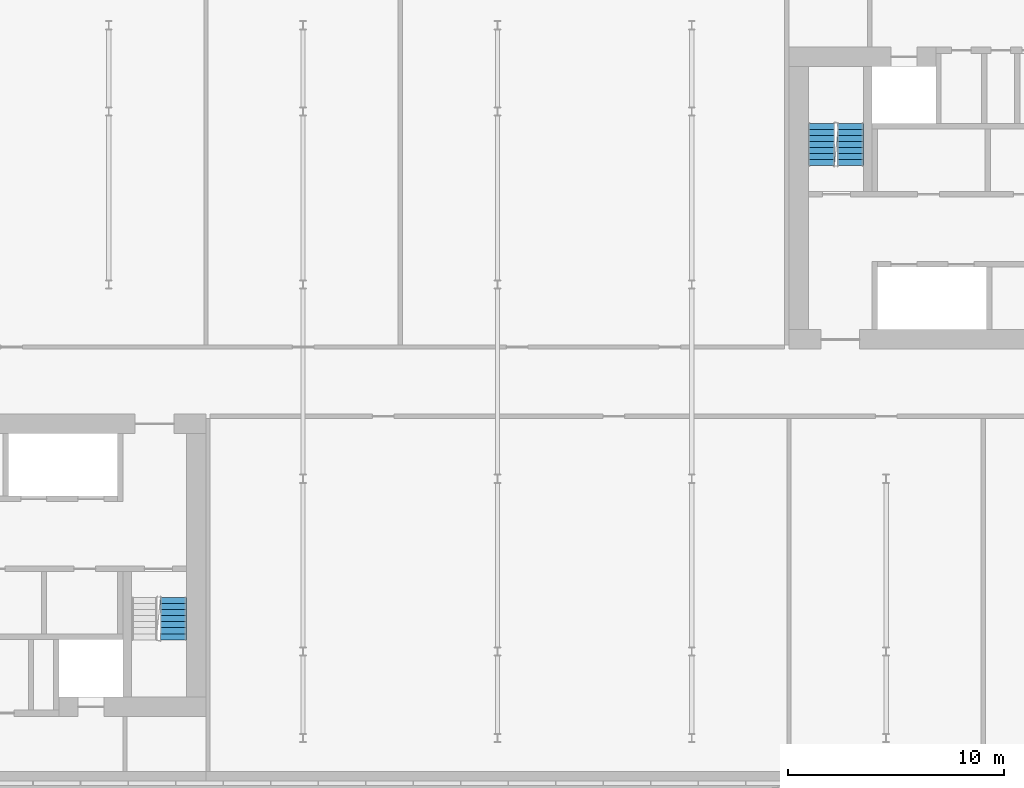
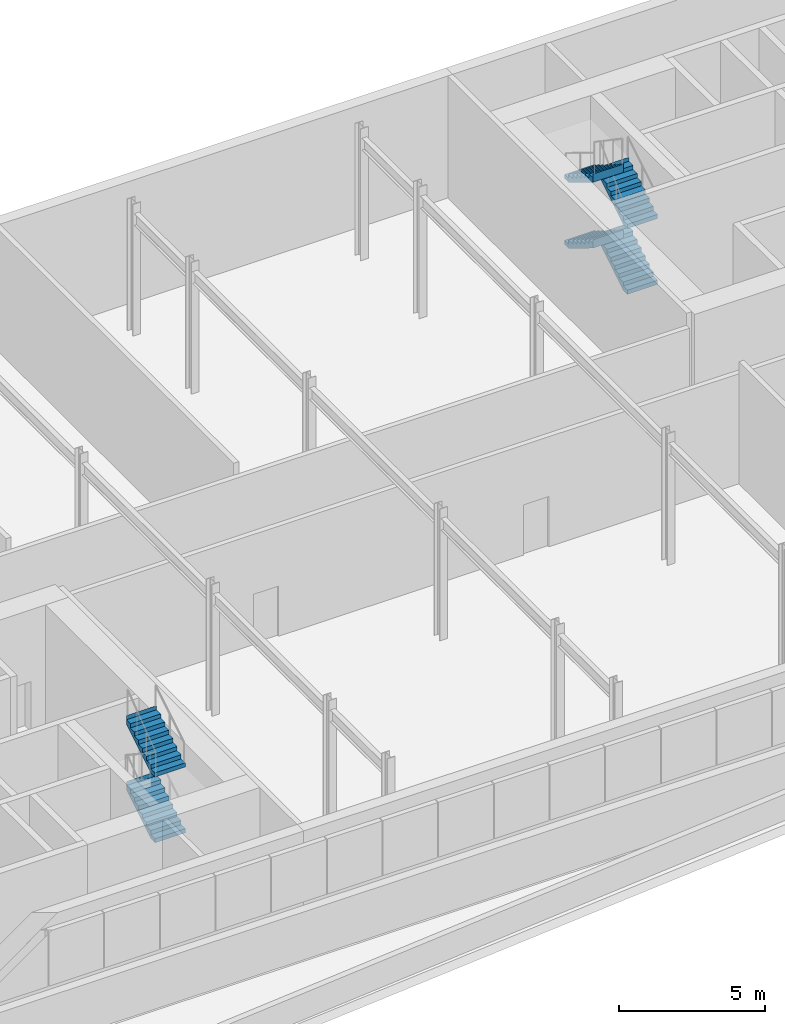
# One storey, part 12 of 16: 6 stair flights, 2 elements without a shape of their own.
"""IFC4 building model written with IfcOpenShell, lengths in metres."""

from ifc_helpers import new_model, si_unit, direction, frame, origin, place, context, subcontext, project, spatial, faceted_brep, material, type_object, element, aggregate, save


model = new_model("IFC4")

# Units and contexts
model_context = context("Model", 3, precision=1e-05, world=origin(), true_north=direction((0.0, 1.0)))
body_context = subcontext(model_context, "Body", "Model", "MODEL_VIEW")
ifc_project = project(units=[si_unit("LENGTHUNIT", "METRE"), si_unit("AREAUNIT", "SQUARE_METRE"), si_unit("VOLUMEUNIT", "CUBIC_METRE"), si_unit("PLANEANGLEUNIT", "RADIAN"), si_unit("MASSUNIT", "GRAM", prefix="KILO")], contexts=[model_context])

# Site, building, storey
site_placement = place(None, origin())
site = spatial("IfcSite", under=ifc_project, at=site_placement, CompositionType="ELEMENT")
building_placement = place(site_placement, origin())
building = spatial("IfcBuilding", under=site, at=building_placement, Name="Kajstack Hotel Tower", CompositionType="ELEMENT")
storey_placement = place(building_placement, frame((0.0, 0.0, 308.10009765625)))
storey = spatial("IfcBuildingStorey", under=building, at=storey_placement, Name="L78", CompositionType="ELEMENT", Elevation=308.10009765625)

# Stair, stair flights
ifc_material = material(Name="Concrete C40/50", Category="concrete")
stair_type = type_object("IfcStairType", Name="Exit stair 1200", PredefinedType="HALF_TURN_STAIR", material=ifc_material)
stair_1_placement = place(storey_placement, origin())
stair_1 = element("IfcStair", 1, at=stair_1_placement, inside=storey, type_object=stair_type, Name="L78 stair W2", PredefinedType="HALF_TURN_STAIR")
stair_flight_type = type_object("IfcStairFlightType", Name="Exit stair flight 1200", PredefinedType="STRAIGHT", material=ifc_material)
stair_flight_1_placement = place(storey_placement, frame((-15.0, -11.9599609375, 1.375), z_axis=(0.0, 0.0, 1.0), x_axis=(0.0, 1.0, 0.0)))
stair_flight_1 = element("IfcStairFlight", 2, at=stair_flight_1_placement, type_object=stair_flight_type, Name="W2 flight 2", NumberOfRisers=8, NumberOfTreads=7, PredefinedType="STRAIGHT", RiserHeight=0.171875, TreadLength=0.28, context=body_context, shape_type="Brep", body=[
    faceted_brep([(0.287109375, -0.60009765625, 0.0), (1.96044921875, -0.60009765625, 1.02734375), (1.96044921875, -0.60009765625, 1.375), (1.9599609375, -0.60009765625, 1.375), (1.9599609375, -0.60009765625, 1.203125), (1.679931640625, -0.60009765625, 1.203125), (1.679931640625, -0.60009765625, 1.03125), (1.39990234375, -0.60009765625, 1.03125), (1.39990234375, -0.60009765625, 0.859375), (1.1201171875, -0.60009765625, 0.859375), (1.1201171875, -0.60009765625, 0.6875), (0.840087890625, -0.60009765625, 0.6875), (0.840087890625, -0.60009765625, 0.515625), (0.56005859375, -0.60009765625, 0.515625), (0.56005859375, -0.60009765625, 0.34375), (0.280029296875, -0.60009765625, 0.34375), (0.280029296875, -0.60009765625, 0.171875), (-0.00048828125, -0.60009765625, 0.171875), (-0.00048828125, -0.60009765625, 0.0), (-0.00048828125, 0.60009765625, 0.0), (-0.00048828125, 0.60009765625, 0.171875), (0.280029296875, 0.60009765625, 0.171875), (0.280029296875, 0.60009765625, 0.34375), (0.56005859375, 0.60009765625, 0.34375), (0.56005859375, 0.60009765625, 0.515625), (0.840087890625, 0.60009765625, 0.515625), (0.840087890625, 0.60009765625, 0.6875), (1.1201171875, 0.60009765625, 0.6875), (1.1201171875, 0.60009765625, 0.859375), (1.39990234375, 0.60009765625, 0.859375), (1.39990234375, 0.60009765625, 1.03125), (1.679931640625, 0.60009765625, 1.03125), (1.679931640625, 0.60009765625, 1.203125), (1.9599609375, 0.60009765625, 1.203125), (1.9599609375, 0.60009765625, 1.375), (1.96044921875, 0.60009765625, 1.375), (1.96044921875, 0.60009765625, 1.02734375), (0.287109375, 0.60009765625, 0.0), (-0.00048828125, -0.300048828125, 0.171875), (-0.00048828125, 0.0, 0.171875), (-0.00048828125, 0.300048828125, 0.171875), (-0.00048828125, 0.300048828125, 0.0), (-0.00048828125, 0.0, 0.0), (-0.00048828125, -0.300048828125, 0.0), (0.280029296875, -0.300048828125, 0.171875), (0.280029296875, 0.0, 0.171875), (0.280029296875, 0.300048828125, 0.171875), (0.280029296875, -0.300048828125, 0.34375), (0.280029296875, 0.0, 0.34375), (0.280029296875, 0.300048828125, 0.34375), (0.56005859375, -0.300048828125, 0.34375), (0.56005859375, 0.0, 0.34375), (0.56005859375, 0.300048828125, 0.34375), (0.56005859375, -0.300048828125, 0.515625), (0.56005859375, 0.0, 0.515625), (0.56005859375, 0.300048828125, 0.515625), (0.840087890625, -0.300048828125, 0.515625), (0.840087890625, 0.0, 0.515625), (0.840087890625, 0.300048828125, 0.515625), (0.840087890625, -0.300048828125, 0.6875), (0.840087890625, 0.0, 0.6875), (0.840087890625, 0.300048828125, 0.6875), (1.1201171875, -0.300048828125, 0.6875), (1.1201171875, 0.0, 0.6875), (1.1201171875, 0.300048828125, 0.6875), (1.1201171875, -0.300048828125, 0.859375), (1.1201171875, 0.0, 0.859375), (1.1201171875, 0.300048828125, 0.859375), (1.39990234375, -0.300048828125, 0.859375), (1.39990234375, 0.0, 0.859375), (1.39990234375, 0.300048828125, 0.859375), (1.39990234375, -0.300048828125, 1.03125), (1.39990234375, 0.0, 1.03125), (1.39990234375, 0.300048828125, 1.03125), (1.679931640625, -0.300048828125, 1.03125), (1.679931640625, 0.0, 1.03125), (1.679931640625, 0.300048828125, 1.03125), (1.679931640625, -0.300048828125, 1.203125), (1.679931640625, 0.0, 1.203125), (1.679931640625, 0.300048828125, 1.203125), (1.9599609375, -0.300048828125, 1.203125), (1.9599609375, 0.0, 1.203125), (1.9599609375, 0.300048828125, 1.203125), (1.9599609375, -0.300048828125, 1.375), (1.9599609375, 0.0, 1.375), (1.9599609375, 0.300048828125, 1.375), (1.96044921875, -0.300048828125, 1.375), (1.96044921875, 0.0, 1.375), (1.96044921875, 0.300048828125, 1.375), (1.96044921875, -0.300048828125, 1.02734375), (1.96044921875, 0.0, 1.02734375), (1.96044921875, 0.300048828125, 1.02734375), (0.287109375, -0.300048828125, 0.0), (0.287109375, 0.0, 0.0), (0.287109375, 0.300048828125, 0.0)], [[[0, 1, 2, 3, 4, 5, 6, 7, 8, 9, 10, 11, 12, 13, 14, 15, 16, 17, 18]], [[19, 20, 21, 22, 23, 24, 25, 26, 27, 28, 29, 30, 31, 32, 33, 34, 35, 36, 37]], [[17, 38, 39, 40, 20, 19, 41, 42, 43, 18]], [[16, 44, 45, 46, 21, 20, 40, 39, 38, 17]], [[15, 47, 48, 49, 22, 21, 46, 45, 44, 16]], [[14, 50, 51, 52, 23, 22, 49, 48, 47, 15]], [[13, 53, 54, 55, 24, 23, 52, 51, 50, 14]], [[12, 56, 57, 58, 25, 24, 55, 54, 53, 13]], [[11, 59, 60, 61, 26, 25, 58, 57, 56, 12]], [[10, 62, 63, 64, 27, 26, 61, 60, 59, 11]], [[9, 65, 66, 67, 28, 27, 64, 63, 62, 10]], [[8, 68, 69, 70, 29, 28, 67, 66, 65, 9]], [[7, 71, 72, 73, 30, 29, 70, 69, 68, 8]], [[6, 74, 75, 76, 31, 30, 73, 72, 71, 7]], [[5, 77, 78, 79, 32, 31, 76, 75, 74, 6]], [[4, 80, 81, 82, 33, 32, 79, 78, 77, 5]], [[3, 83, 84, 85, 34, 33, 82, 81, 80, 4]], [[2, 86, 87, 88, 35, 34, 85, 84, 83, 3]], [[1, 89, 90, 91, 36, 35, 88, 87, 86, 2]], [[0, 92, 93, 94, 37, 36, 91, 90, 89, 1]], [[18, 43, 42, 41, 19, 37, 94, 93, 92, 0]]]),
])
stair_flight_2_placement = place(storey_placement, frame((-15.0, -11.9599609375, 4.125), z_axis=(0.0, 0.0, 1.0), x_axis=(0.0, 1.0, 0.0)))
stair_flight_2 = element("IfcStairFlight", 3, at=stair_flight_2_placement, type_object=stair_flight_type, Name="W2 flight 4", NumberOfRisers=8, NumberOfTreads=7, PredefinedType="STRAIGHT", RiserHeight=0.171875, TreadLength=0.28, context=body_context, shape_type="Brep", body=[
    faceted_brep([(0.287109375, -0.60009765625, 0.0), (1.96044921875, -0.60009765625, 1.02734375), (1.96044921875, -0.60009765625, 1.375), (1.9599609375, -0.60009765625, 1.375), (1.9599609375, -0.60009765625, 1.203125), (1.679931640625, -0.60009765625, 1.203125), (1.679931640625, -0.60009765625, 1.03125), (1.39990234375, -0.60009765625, 1.03125), (1.39990234375, -0.60009765625, 0.859375), (1.1201171875, -0.60009765625, 0.859375), (1.1201171875, -0.60009765625, 0.6875), (0.840087890625, -0.60009765625, 0.6875), (0.840087890625, -0.60009765625, 0.515625), (0.56005859375, -0.60009765625, 0.515625), (0.56005859375, -0.60009765625, 0.34375), (0.280029296875, -0.60009765625, 0.34375), (0.280029296875, -0.60009765625, 0.171875), (-0.00048828125, -0.60009765625, 0.171875), (-0.00048828125, -0.60009765625, 0.0), (-0.00048828125, 0.60009765625, 0.0), (-0.00048828125, 0.60009765625, 0.171875), (0.280029296875, 0.60009765625, 0.171875), (0.280029296875, 0.60009765625, 0.34375), (0.56005859375, 0.60009765625, 0.34375), (0.56005859375, 0.60009765625, 0.515625), (0.840087890625, 0.60009765625, 0.515625), (0.840087890625, 0.60009765625, 0.6875), (1.1201171875, 0.60009765625, 0.6875), (1.1201171875, 0.60009765625, 0.859375), (1.39990234375, 0.60009765625, 0.859375), (1.39990234375, 0.60009765625, 1.03125), (1.679931640625, 0.60009765625, 1.03125), (1.679931640625, 0.60009765625, 1.203125), (1.9599609375, 0.60009765625, 1.203125), (1.9599609375, 0.60009765625, 1.375), (1.96044921875, 0.60009765625, 1.375), (1.96044921875, 0.60009765625, 1.02734375), (0.287109375, 0.60009765625, 0.0), (-0.00048828125, -0.300048828125, 0.171875), (-0.00048828125, 0.0, 0.171875), (-0.00048828125, 0.300048828125, 0.171875), (-0.00048828125, 0.300048828125, 0.0), (-0.00048828125, 0.0, 0.0), (-0.00048828125, -0.300048828125, 0.0), (0.280029296875, -0.300048828125, 0.171875), (0.280029296875, 0.0, 0.171875), (0.280029296875, 0.300048828125, 0.171875), (0.280029296875, -0.300048828125, 0.34375), (0.280029296875, 0.0, 0.34375), (0.280029296875, 0.300048828125, 0.34375), (0.56005859375, -0.300048828125, 0.34375), (0.56005859375, 0.0, 0.34375), (0.56005859375, 0.300048828125, 0.34375), (0.56005859375, -0.300048828125, 0.515625), (0.56005859375, 0.0, 0.515625), (0.56005859375, 0.300048828125, 0.515625), (0.840087890625, -0.300048828125, 0.515625), (0.840087890625, 0.0, 0.515625), (0.840087890625, 0.300048828125, 0.515625), (0.840087890625, -0.300048828125, 0.6875), (0.840087890625, 0.0, 0.6875), (0.840087890625, 0.300048828125, 0.6875), (1.1201171875, -0.300048828125, 0.6875), (1.1201171875, 0.0, 0.6875), (1.1201171875, 0.300048828125, 0.6875), (1.1201171875, -0.300048828125, 0.859375), (1.1201171875, 0.0, 0.859375), (1.1201171875, 0.300048828125, 0.859375), (1.39990234375, -0.300048828125, 0.859375), (1.39990234375, 0.0, 0.859375), (1.39990234375, 0.300048828125, 0.859375), (1.39990234375, -0.300048828125, 1.03125), (1.39990234375, 0.0, 1.03125), (1.39990234375, 0.300048828125, 1.03125), (1.679931640625, -0.300048828125, 1.03125), (1.679931640625, 0.0, 1.03125), (1.679931640625, 0.300048828125, 1.03125), (1.679931640625, -0.300048828125, 1.203125), (1.679931640625, 0.0, 1.203125), (1.679931640625, 0.300048828125, 1.203125), (1.9599609375, -0.300048828125, 1.203125), (1.9599609375, 0.0, 1.203125), (1.9599609375, 0.300048828125, 1.203125), (1.9599609375, -0.300048828125, 1.375), (1.9599609375, 0.0, 1.375), (1.9599609375, 0.300048828125, 1.375), (1.96044921875, -0.300048828125, 1.375), (1.96044921875, 0.0, 1.375), (1.96044921875, 0.300048828125, 1.375), (1.96044921875, -0.300048828125, 1.02734375), (1.96044921875, 0.0, 1.02734375), (1.96044921875, 0.300048828125, 1.02734375), (0.287109375, -0.300048828125, 0.0), (0.287109375, 0.0, 0.0), (0.287109375, 0.300048828125, 0.0)], [[[0, 1, 2, 3, 4, 5, 6, 7, 8, 9, 10, 11, 12, 13, 14, 15, 16, 17, 18]], [[19, 20, 21, 22, 23, 24, 25, 26, 27, 28, 29, 30, 31, 32, 33, 34, 35, 36, 37]], [[17, 38, 39, 40, 20, 19, 41, 42, 43, 18]], [[16, 44, 45, 46, 21, 20, 40, 39, 38, 17]], [[15, 47, 48, 49, 22, 21, 46, 45, 44, 16]], [[14, 50, 51, 52, 23, 22, 49, 48, 47, 15]], [[13, 53, 54, 55, 24, 23, 52, 51, 50, 14]], [[12, 56, 57, 58, 25, 24, 55, 54, 53, 13]], [[11, 59, 60, 61, 26, 25, 58, 57, 56, 12]], [[10, 62, 63, 64, 27, 26, 61, 60, 59, 11]], [[9, 65, 66, 67, 28, 27, 64, 63, 62, 10]], [[8, 68, 69, 70, 29, 28, 67, 66, 65, 9]], [[7, 71, 72, 73, 30, 29, 70, 69, 68, 8]], [[6, 74, 75, 76, 31, 30, 73, 72, 71, 7]], [[5, 77, 78, 79, 32, 31, 76, 75, 74, 6]], [[4, 80, 81, 82, 33, 32, 79, 78, 77, 5]], [[3, 83, 84, 85, 34, 33, 82, 81, 80, 4]], [[2, 86, 87, 88, 35, 34, 85, 84, 83, 3]], [[1, 89, 90, 91, 36, 35, 88, 87, 86, 2]], [[0, 92, 93, 94, 37, 36, 91, 90, 89, 1]], [[18, 43, 42, 41, 19, 37, 94, 93, 92, 0]]]),
])
aggregate(stair_1, [stair_flight_1, stair_flight_2])

stair_2_placement = place(storey_placement, origin())
stair_2 = element("IfcStair", 4, at=stair_2_placement, inside=storey, type_object=stair_type, Name="L78 stair E2", PredefinedType="HALF_TURN_STAIR")
stair_flight_3_placement = place(storey_placement, frame((16.35009765625, 10.0, 0.0), z_axis=(0.0, 0.0, 1.0), x_axis=(0.0, 1.0, 0.0)))
stair_flight_3 = element("IfcStairFlight", 5, at=stair_flight_3_placement, type_object=stair_flight_type, Name="E2 flight 1", NumberOfRisers=8, NumberOfTreads=7, PredefinedType="STRAIGHT", RiserHeight=0.171875, TreadLength=0.28, context=body_context, shape_type="Brep", body=[
    faceted_brep([(0.287109375, -0.60009765625, 0.0), (1.96044921875, -0.60009765625, 1.02734375), (1.96044921875, -0.60009765625, 1.375), (1.9599609375, -0.60009765625, 1.375), (1.9599609375, -0.60009765625, 1.203125), (1.679931640625, -0.60009765625, 1.203125), (1.679931640625, -0.60009765625, 1.03125), (1.39990234375, -0.60009765625, 1.03125), (1.39990234375, -0.60009765625, 0.859375), (1.1201171875, -0.60009765625, 0.859375), (1.1201171875, -0.60009765625, 0.6875), (0.840087890625, -0.60009765625, 0.6875), (0.840087890625, -0.60009765625, 0.515625), (0.56005859375, -0.60009765625, 0.515625), (0.56005859375, -0.60009765625, 0.34375), (0.280029296875, -0.60009765625, 0.34375), (0.280029296875, -0.60009765625, 0.171875), (-0.00048828125, -0.60009765625, 0.171875), (-0.00048828125, -0.60009765625, 0.0), (-0.00048828125, 0.60009765625, 0.0), (-0.00048828125, 0.60009765625, 0.171875), (0.280029296875, 0.60009765625, 0.171875), (0.280029296875, 0.60009765625, 0.34375), (0.56005859375, 0.60009765625, 0.34375), (0.56005859375, 0.60009765625, 0.515625), (0.840087890625, 0.60009765625, 0.515625), (0.840087890625, 0.60009765625, 0.6875), (1.1201171875, 0.60009765625, 0.6875), (1.1201171875, 0.60009765625, 0.859375), (1.39990234375, 0.60009765625, 0.859375), (1.39990234375, 0.60009765625, 1.03125), (1.679931640625, 0.60009765625, 1.03125), (1.679931640625, 0.60009765625, 1.203125), (1.9599609375, 0.60009765625, 1.203125), (1.9599609375, 0.60009765625, 1.375), (1.96044921875, 0.60009765625, 1.375), (1.96044921875, 0.60009765625, 1.02734375), (0.287109375, 0.60009765625, 0.0), (-0.00048828125, -0.300048828125, 0.171875), (-0.00048828125, 0.0, 0.171875), (-0.00048828125, 0.300048828125, 0.171875), (-0.00048828125, 0.300048828125, 0.0), (-0.00048828125, 0.0, 0.0), (-0.00048828125, -0.300048828125, 0.0), (0.280029296875, -0.300048828125, 0.171875), (0.280029296875, 0.0, 0.171875), (0.280029296875, 0.300048828125, 0.171875), (0.280029296875, -0.300048828125, 0.34375), (0.280029296875, 0.0, 0.34375), (0.280029296875, 0.300048828125, 0.34375), (0.56005859375, -0.300048828125, 0.34375), (0.56005859375, 0.0, 0.34375), (0.56005859375, 0.300048828125, 0.34375), (0.56005859375, -0.300048828125, 0.515625), (0.56005859375, 0.0, 0.515625), (0.56005859375, 0.300048828125, 0.515625), (0.840087890625, -0.300048828125, 0.515625), (0.840087890625, 0.0, 0.515625), (0.840087890625, 0.300048828125, 0.515625), (0.840087890625, -0.300048828125, 0.6875), (0.840087890625, 0.0, 0.6875), (0.840087890625, 0.300048828125, 0.6875), (1.1201171875, -0.300048828125, 0.6875), (1.1201171875, 0.0, 0.6875), (1.1201171875, 0.300048828125, 0.6875), (1.1201171875, -0.300048828125, 0.859375), (1.1201171875, 0.0, 0.859375), (1.1201171875, 0.300048828125, 0.859375), (1.39990234375, -0.300048828125, 0.859375), (1.39990234375, 0.0, 0.859375), (1.39990234375, 0.300048828125, 0.859375), (1.39990234375, -0.300048828125, 1.03125), (1.39990234375, 0.0, 1.03125), (1.39990234375, 0.300048828125, 1.03125), (1.679931640625, -0.300048828125, 1.03125), (1.679931640625, 0.0, 1.03125), (1.679931640625, 0.300048828125, 1.03125), (1.679931640625, -0.300048828125, 1.203125), (1.679931640625, 0.0, 1.203125), (1.679931640625, 0.300048828125, 1.203125), (1.9599609375, -0.300048828125, 1.203125), (1.9599609375, 0.0, 1.203125), (1.9599609375, 0.300048828125, 1.203125), (1.9599609375, -0.300048828125, 1.375), (1.9599609375, 0.0, 1.375), (1.9599609375, 0.300048828125, 1.375), (1.96044921875, -0.300048828125, 1.375), (1.96044921875, 0.0, 1.375), (1.96044921875, 0.300048828125, 1.375), (1.96044921875, -0.300048828125, 1.02734375), (1.96044921875, 0.0, 1.02734375), (1.96044921875, 0.300048828125, 1.02734375), (0.287109375, -0.300048828125, 0.0), (0.287109375, 0.0, 0.0), (0.287109375, 0.300048828125, 0.0)], [[[0, 1, 2, 3, 4, 5, 6, 7, 8, 9, 10, 11, 12, 13, 14, 15, 16, 17, 18]], [[19, 20, 21, 22, 23, 24, 25, 26, 27, 28, 29, 30, 31, 32, 33, 34, 35, 36, 37]], [[17, 38, 39, 40, 20, 19, 41, 42, 43, 18]], [[16, 44, 45, 46, 21, 20, 40, 39, 38, 17]], [[15, 47, 48, 49, 22, 21, 46, 45, 44, 16]], [[14, 50, 51, 52, 23, 22, 49, 48, 47, 15]], [[13, 53, 54, 55, 24, 23, 52, 51, 50, 14]], [[12, 56, 57, 58, 25, 24, 55, 54, 53, 13]], [[11, 59, 60, 61, 26, 25, 58, 57, 56, 12]], [[10, 62, 63, 64, 27, 26, 61, 60, 59, 11]], [[9, 65, 66, 67, 28, 27, 64, 63, 62, 10]], [[8, 68, 69, 70, 29, 28, 67, 66, 65, 9]], [[7, 71, 72, 73, 30, 29, 70, 69, 68, 8]], [[6, 74, 75, 76, 31, 30, 73, 72, 71, 7]], [[5, 77, 78, 79, 32, 31, 76, 75, 74, 6]], [[4, 80, 81, 82, 33, 32, 79, 78, 77, 5]], [[3, 83, 84, 85, 34, 33, 82, 81, 80, 4]], [[2, 86, 87, 88, 35, 34, 85, 84, 83, 3]], [[1, 89, 90, 91, 36, 35, 88, 87, 86, 2]], [[0, 92, 93, 94, 37, 36, 91, 90, 89, 1]], [[18, 43, 42, 41, 19, 37, 94, 93, 92, 0]]]),
])
stair_flight_4_placement = place(storey_placement, frame((15.0, 11.9599609375, 1.375), z_axis=(0.0, 0.0, 1.0), x_axis=(0.0, -1.0, 0.0)))
stair_flight_4 = element("IfcStairFlight", 6, at=stair_flight_4_placement, type_object=stair_flight_type, Name="E2 flight 2", NumberOfRisers=8, NumberOfTreads=7, PredefinedType="STRAIGHT", RiserHeight=0.171875, TreadLength=0.28, context=body_context, shape_type="Brep", body=[
    faceted_brep([(0.287109375, -0.60009765625, 0.0), (1.96044921875, -0.60009765625, 1.02734375), (1.96044921875, -0.60009765625, 1.375), (1.9599609375, -0.60009765625, 1.375), (1.9599609375, -0.60009765625, 1.203125), (1.679931640625, -0.60009765625, 1.203125), (1.679931640625, -0.60009765625, 1.03125), (1.39990234375, -0.60009765625, 1.03125), (1.39990234375, -0.60009765625, 0.859375), (1.1201171875, -0.60009765625, 0.859375), (1.1201171875, -0.60009765625, 0.6875), (0.840087890625, -0.60009765625, 0.6875), (0.840087890625, -0.60009765625, 0.515625), (0.56005859375, -0.60009765625, 0.515625), (0.56005859375, -0.60009765625, 0.34375), (0.280029296875, -0.60009765625, 0.34375), (0.280029296875, -0.60009765625, 0.171875), (-0.00048828125, -0.60009765625, 0.171875), (-0.00048828125, -0.60009765625, 0.0), (-0.00048828125, 0.60009765625, 0.0), (-0.00048828125, 0.60009765625, 0.171875), (0.280029296875, 0.60009765625, 0.171875), (0.280029296875, 0.60009765625, 0.34375), (0.56005859375, 0.60009765625, 0.34375), (0.56005859375, 0.60009765625, 0.515625), (0.840087890625, 0.60009765625, 0.515625), (0.840087890625, 0.60009765625, 0.6875), (1.1201171875, 0.60009765625, 0.6875), (1.1201171875, 0.60009765625, 0.859375), (1.39990234375, 0.60009765625, 0.859375), (1.39990234375, 0.60009765625, 1.03125), (1.679931640625, 0.60009765625, 1.03125), (1.679931640625, 0.60009765625, 1.203125), (1.9599609375, 0.60009765625, 1.203125), (1.9599609375, 0.60009765625, 1.375), (1.96044921875, 0.60009765625, 1.375), (1.96044921875, 0.60009765625, 1.02734375), (0.287109375, 0.60009765625, 0.0), (-0.00048828125, -0.300048828125, 0.171875), (-0.00048828125, 0.0, 0.171875), (-0.00048828125, 0.300048828125, 0.171875), (-0.00048828125, 0.300048828125, 0.0), (-0.00048828125, 0.0, 0.0), (-0.00048828125, -0.300048828125, 0.0), (0.280029296875, -0.300048828125, 0.171875), (0.280029296875, 0.0, 0.171875), (0.280029296875, 0.300048828125, 0.171875), (0.280029296875, -0.300048828125, 0.34375), (0.280029296875, 0.0, 0.34375), (0.280029296875, 0.300048828125, 0.34375), (0.56005859375, -0.300048828125, 0.34375), (0.56005859375, 0.0, 0.34375), (0.56005859375, 0.300048828125, 0.34375), (0.56005859375, -0.300048828125, 0.515625), (0.56005859375, 0.0, 0.515625), (0.56005859375, 0.300048828125, 0.515625), (0.840087890625, -0.300048828125, 0.515625), (0.840087890625, 0.0, 0.515625), (0.840087890625, 0.300048828125, 0.515625), (0.840087890625, -0.300048828125, 0.6875), (0.840087890625, 0.0, 0.6875), (0.840087890625, 0.300048828125, 0.6875), (1.1201171875, -0.300048828125, 0.6875), (1.1201171875, 0.0, 0.6875), (1.1201171875, 0.300048828125, 0.6875), (1.1201171875, -0.300048828125, 0.859375), (1.1201171875, 0.0, 0.859375), (1.1201171875, 0.300048828125, 0.859375), (1.39990234375, -0.300048828125, 0.859375), (1.39990234375, 0.0, 0.859375), (1.39990234375, 0.300048828125, 0.859375), (1.39990234375, -0.300048828125, 1.03125), (1.39990234375, 0.0, 1.03125), (1.39990234375, 0.300048828125, 1.03125), (1.679931640625, -0.300048828125, 1.03125), (1.679931640625, 0.0, 1.03125), (1.679931640625, 0.300048828125, 1.03125), (1.679931640625, -0.300048828125, 1.203125), (1.679931640625, 0.0, 1.203125), (1.679931640625, 0.300048828125, 1.203125), (1.9599609375, -0.300048828125, 1.203125), (1.9599609375, 0.0, 1.203125), (1.9599609375, 0.300048828125, 1.203125), (1.9599609375, -0.300048828125, 1.375), (1.9599609375, 0.0, 1.375), (1.9599609375, 0.300048828125, 1.375), (1.96044921875, -0.300048828125, 1.375), (1.96044921875, 0.0, 1.375), (1.96044921875, 0.300048828125, 1.375), (1.96044921875, -0.300048828125, 1.02734375), (1.96044921875, 0.0, 1.02734375), (1.96044921875, 0.300048828125, 1.02734375), (0.287109375, -0.300048828125, 0.0), (0.287109375, 0.0, 0.0), (0.287109375, 0.300048828125, 0.0)], [[[0, 1, 2, 3, 4, 5, 6, 7, 8, 9, 10, 11, 12, 13, 14, 15, 16, 17, 18]], [[19, 20, 21, 22, 23, 24, 25, 26, 27, 28, 29, 30, 31, 32, 33, 34, 35, 36, 37]], [[17, 38, 39, 40, 20, 19, 41, 42, 43, 18]], [[16, 44, 45, 46, 21, 20, 40, 39, 38, 17]], [[15, 47, 48, 49, 22, 21, 46, 45, 44, 16]], [[14, 50, 51, 52, 23, 22, 49, 48, 47, 15]], [[13, 53, 54, 55, 24, 23, 52, 51, 50, 14]], [[12, 56, 57, 58, 25, 24, 55, 54, 53, 13]], [[11, 59, 60, 61, 26, 25, 58, 57, 56, 12]], [[10, 62, 63, 64, 27, 26, 61, 60, 59, 11]], [[9, 65, 66, 67, 28, 27, 64, 63, 62, 10]], [[8, 68, 69, 70, 29, 28, 67, 66, 65, 9]], [[7, 71, 72, 73, 30, 29, 70, 69, 68, 8]], [[6, 74, 75, 76, 31, 30, 73, 72, 71, 7]], [[5, 77, 78, 79, 32, 31, 76, 75, 74, 6]], [[4, 80, 81, 82, 33, 32, 79, 78, 77, 5]], [[3, 83, 84, 85, 34, 33, 82, 81, 80, 4]], [[2, 86, 87, 88, 35, 34, 85, 84, 83, 3]], [[1, 89, 90, 91, 36, 35, 88, 87, 86, 2]], [[0, 92, 93, 94, 37, 36, 91, 90, 89, 1]], [[18, 43, 42, 41, 19, 37, 94, 93, 92, 0]]]),
])
stair_flight_5_placement = place(storey_placement, frame((16.35009765625, 10.0, 2.75), z_axis=(0.0, 0.0, 1.0), x_axis=(0.0, 1.0, 0.0)))
stair_flight_5 = element("IfcStairFlight", 7, at=stair_flight_5_placement, type_object=stair_flight_type, Name="E2 flight 3", NumberOfRisers=8, NumberOfTreads=7, PredefinedType="STRAIGHT", RiserHeight=0.171875, TreadLength=0.28, context=body_context, shape_type="Brep", body=[
    faceted_brep([(0.287109375, -0.60009765625, 0.0), (1.96044921875, -0.60009765625, 1.02734375), (1.96044921875, -0.60009765625, 1.375), (1.9599609375, -0.60009765625, 1.375), (1.9599609375, -0.60009765625, 1.203125), (1.679931640625, -0.60009765625, 1.203125), (1.679931640625, -0.60009765625, 1.03125), (1.39990234375, -0.60009765625, 1.03125), (1.39990234375, -0.60009765625, 0.859375), (1.1201171875, -0.60009765625, 0.859375), (1.1201171875, -0.60009765625, 0.6875), (0.840087890625, -0.60009765625, 0.6875), (0.840087890625, -0.60009765625, 0.515625), (0.56005859375, -0.60009765625, 0.515625), (0.56005859375, -0.60009765625, 0.34375), (0.280029296875, -0.60009765625, 0.34375), (0.280029296875, -0.60009765625, 0.171875), (-0.00048828125, -0.60009765625, 0.171875), (-0.00048828125, -0.60009765625, 0.0), (-0.00048828125, 0.60009765625, 0.0), (-0.00048828125, 0.60009765625, 0.171875), (0.280029296875, 0.60009765625, 0.171875), (0.280029296875, 0.60009765625, 0.34375), (0.56005859375, 0.60009765625, 0.34375), (0.56005859375, 0.60009765625, 0.515625), (0.840087890625, 0.60009765625, 0.515625), (0.840087890625, 0.60009765625, 0.6875), (1.1201171875, 0.60009765625, 0.6875), (1.1201171875, 0.60009765625, 0.859375), (1.39990234375, 0.60009765625, 0.859375), (1.39990234375, 0.60009765625, 1.03125), (1.679931640625, 0.60009765625, 1.03125), (1.679931640625, 0.60009765625, 1.203125), (1.9599609375, 0.60009765625, 1.203125), (1.9599609375, 0.60009765625, 1.375), (1.96044921875, 0.60009765625, 1.375), (1.96044921875, 0.60009765625, 1.02734375), (0.287109375, 0.60009765625, 0.0), (-0.00048828125, -0.300048828125, 0.171875), (-0.00048828125, 0.0, 0.171875), (-0.00048828125, 0.300048828125, 0.171875), (-0.00048828125, 0.300048828125, 0.0), (-0.00048828125, 0.0, 0.0), (-0.00048828125, -0.300048828125, 0.0), (0.280029296875, -0.300048828125, 0.171875), (0.280029296875, 0.0, 0.171875), (0.280029296875, 0.300048828125, 0.171875), (0.280029296875, -0.300048828125, 0.34375), (0.280029296875, 0.0, 0.34375), (0.280029296875, 0.300048828125, 0.34375), (0.56005859375, -0.300048828125, 0.34375), (0.56005859375, 0.0, 0.34375), (0.56005859375, 0.300048828125, 0.34375), (0.56005859375, -0.300048828125, 0.515625), (0.56005859375, 0.0, 0.515625), (0.56005859375, 0.300048828125, 0.515625), (0.840087890625, -0.300048828125, 0.515625), (0.840087890625, 0.0, 0.515625), (0.840087890625, 0.300048828125, 0.515625), (0.840087890625, -0.300048828125, 0.6875), (0.840087890625, 0.0, 0.6875), (0.840087890625, 0.300048828125, 0.6875), (1.1201171875, -0.300048828125, 0.6875), (1.1201171875, 0.0, 0.6875), (1.1201171875, 0.300048828125, 0.6875), (1.1201171875, -0.300048828125, 0.859375), (1.1201171875, 0.0, 0.859375), (1.1201171875, 0.300048828125, 0.859375), (1.39990234375, -0.300048828125, 0.859375), (1.39990234375, 0.0, 0.859375), (1.39990234375, 0.300048828125, 0.859375), (1.39990234375, -0.300048828125, 1.03125), (1.39990234375, 0.0, 1.03125), (1.39990234375, 0.300048828125, 1.03125), (1.679931640625, -0.300048828125, 1.03125), (1.679931640625, 0.0, 1.03125), (1.679931640625, 0.300048828125, 1.03125), (1.679931640625, -0.300048828125, 1.203125), (1.679931640625, 0.0, 1.203125), (1.679931640625, 0.300048828125, 1.203125), (1.9599609375, -0.300048828125, 1.203125), (1.9599609375, 0.0, 1.203125), (1.9599609375, 0.300048828125, 1.203125), (1.9599609375, -0.300048828125, 1.375), (1.9599609375, 0.0, 1.375), (1.9599609375, 0.300048828125, 1.375), (1.96044921875, -0.300048828125, 1.375), (1.96044921875, 0.0, 1.375), (1.96044921875, 0.300048828125, 1.375), (1.96044921875, -0.300048828125, 1.02734375), (1.96044921875, 0.0, 1.02734375), (1.96044921875, 0.300048828125, 1.02734375), (0.287109375, -0.300048828125, 0.0), (0.287109375, 0.0, 0.0), (0.287109375, 0.300048828125, 0.0)], [[[0, 1, 2, 3, 4, 5, 6, 7, 8, 9, 10, 11, 12, 13, 14, 15, 16, 17, 18]], [[19, 20, 21, 22, 23, 24, 25, 26, 27, 28, 29, 30, 31, 32, 33, 34, 35, 36, 37]], [[17, 38, 39, 40, 20, 19, 41, 42, 43, 18]], [[16, 44, 45, 46, 21, 20, 40, 39, 38, 17]], [[15, 47, 48, 49, 22, 21, 46, 45, 44, 16]], [[14, 50, 51, 52, 23, 22, 49, 48, 47, 15]], [[13, 53, 54, 55, 24, 23, 52, 51, 50, 14]], [[12, 56, 57, 58, 25, 24, 55, 54, 53, 13]], [[11, 59, 60, 61, 26, 25, 58, 57, 56, 12]], [[10, 62, 63, 64, 27, 26, 61, 60, 59, 11]], [[9, 65, 66, 67, 28, 27, 64, 63, 62, 10]], [[8, 68, 69, 70, 29, 28, 67, 66, 65, 9]], [[7, 71, 72, 73, 30, 29, 70, 69, 68, 8]], [[6, 74, 75, 76, 31, 30, 73, 72, 71, 7]], [[5, 77, 78, 79, 32, 31, 76, 75, 74, 6]], [[4, 80, 81, 82, 33, 32, 79, 78, 77, 5]], [[3, 83, 84, 85, 34, 33, 82, 81, 80, 4]], [[2, 86, 87, 88, 35, 34, 85, 84, 83, 3]], [[1, 89, 90, 91, 36, 35, 88, 87, 86, 2]], [[0, 92, 93, 94, 37, 36, 91, 90, 89, 1]], [[18, 43, 42, 41, 19, 37, 94, 93, 92, 0]]]),
])
stair_flight_6_placement = place(storey_placement, frame((15.0, 11.9599609375, 4.125), z_axis=(0.0, 0.0, 1.0), x_axis=(0.0, -1.0, 0.0)))
stair_flight_6 = element("IfcStairFlight", 8, at=stair_flight_6_placement, type_object=stair_flight_type, Name="E2 flight 4", NumberOfRisers=8, NumberOfTreads=7, PredefinedType="STRAIGHT", RiserHeight=0.171875, TreadLength=0.28, context=body_context, shape_type="Brep", body=[
    faceted_brep([(0.287109375, -0.60009765625, 0.0), (1.96044921875, -0.60009765625, 1.02734375), (1.96044921875, -0.60009765625, 1.375), (1.9599609375, -0.60009765625, 1.375), (1.9599609375, -0.60009765625, 1.203125), (1.679931640625, -0.60009765625, 1.203125), (1.679931640625, -0.60009765625, 1.03125), (1.39990234375, -0.60009765625, 1.03125), (1.39990234375, -0.60009765625, 0.859375), (1.1201171875, -0.60009765625, 0.859375), (1.1201171875, -0.60009765625, 0.6875), (0.840087890625, -0.60009765625, 0.6875), (0.840087890625, -0.60009765625, 0.515625), (0.56005859375, -0.60009765625, 0.515625), (0.56005859375, -0.60009765625, 0.34375), (0.280029296875, -0.60009765625, 0.34375), (0.280029296875, -0.60009765625, 0.171875), (-0.00048828125, -0.60009765625, 0.171875), (-0.00048828125, -0.60009765625, 0.0), (-0.00048828125, 0.60009765625, 0.0), (-0.00048828125, 0.60009765625, 0.171875), (0.280029296875, 0.60009765625, 0.171875), (0.280029296875, 0.60009765625, 0.34375), (0.56005859375, 0.60009765625, 0.34375), (0.56005859375, 0.60009765625, 0.515625), (0.840087890625, 0.60009765625, 0.515625), (0.840087890625, 0.60009765625, 0.6875), (1.1201171875, 0.60009765625, 0.6875), (1.1201171875, 0.60009765625, 0.859375), (1.39990234375, 0.60009765625, 0.859375), (1.39990234375, 0.60009765625, 1.03125), (1.679931640625, 0.60009765625, 1.03125), (1.679931640625, 0.60009765625, 1.203125), (1.9599609375, 0.60009765625, 1.203125), (1.9599609375, 0.60009765625, 1.375), (1.96044921875, 0.60009765625, 1.375), (1.96044921875, 0.60009765625, 1.02734375), (0.287109375, 0.60009765625, 0.0), (-0.00048828125, -0.300048828125, 0.171875), (-0.00048828125, 0.0, 0.171875), (-0.00048828125, 0.300048828125, 0.171875), (-0.00048828125, 0.300048828125, 0.0), (-0.00048828125, 0.0, 0.0), (-0.00048828125, -0.300048828125, 0.0), (0.280029296875, -0.300048828125, 0.171875), (0.280029296875, 0.0, 0.171875), (0.280029296875, 0.300048828125, 0.171875), (0.280029296875, -0.300048828125, 0.34375), (0.280029296875, 0.0, 0.34375), (0.280029296875, 0.300048828125, 0.34375), (0.56005859375, -0.300048828125, 0.34375), (0.56005859375, 0.0, 0.34375), (0.56005859375, 0.300048828125, 0.34375), (0.56005859375, -0.300048828125, 0.515625), (0.56005859375, 0.0, 0.515625), (0.56005859375, 0.300048828125, 0.515625), (0.840087890625, -0.300048828125, 0.515625), (0.840087890625, 0.0, 0.515625), (0.840087890625, 0.300048828125, 0.515625), (0.840087890625, -0.300048828125, 0.6875), (0.840087890625, 0.0, 0.6875), (0.840087890625, 0.300048828125, 0.6875), (1.1201171875, -0.300048828125, 0.6875), (1.1201171875, 0.0, 0.6875), (1.1201171875, 0.300048828125, 0.6875), (1.1201171875, -0.300048828125, 0.859375), (1.1201171875, 0.0, 0.859375), (1.1201171875, 0.300048828125, 0.859375), (1.39990234375, -0.300048828125, 0.859375), (1.39990234375, 0.0, 0.859375), (1.39990234375, 0.300048828125, 0.859375), (1.39990234375, -0.300048828125, 1.03125), (1.39990234375, 0.0, 1.03125), (1.39990234375, 0.300048828125, 1.03125), (1.679931640625, -0.300048828125, 1.03125), (1.679931640625, 0.0, 1.03125), (1.679931640625, 0.300048828125, 1.03125), (1.679931640625, -0.300048828125, 1.203125), (1.679931640625, 0.0, 1.203125), (1.679931640625, 0.300048828125, 1.203125), (1.9599609375, -0.300048828125, 1.203125), (1.9599609375, 0.0, 1.203125), (1.9599609375, 0.300048828125, 1.203125), (1.9599609375, -0.300048828125, 1.375), (1.9599609375, 0.0, 1.375), (1.9599609375, 0.300048828125, 1.375), (1.96044921875, -0.300048828125, 1.375), (1.96044921875, 0.0, 1.375), (1.96044921875, 0.300048828125, 1.375), (1.96044921875, -0.300048828125, 1.02734375), (1.96044921875, 0.0, 1.02734375), (1.96044921875, 0.300048828125, 1.02734375), (0.287109375, -0.300048828125, 0.0), (0.287109375, 0.0, 0.0), (0.287109375, 0.300048828125, 0.0)], [[[0, 1, 2, 3, 4, 5, 6, 7, 8, 9, 10, 11, 12, 13, 14, 15, 16, 17, 18]], [[19, 20, 21, 22, 23, 24, 25, 26, 27, 28, 29, 30, 31, 32, 33, 34, 35, 36, 37]], [[17, 38, 39, 40, 20, 19, 41, 42, 43, 18]], [[16, 44, 45, 46, 21, 20, 40, 39, 38, 17]], [[15, 47, 48, 49, 22, 21, 46, 45, 44, 16]], [[14, 50, 51, 52, 23, 22, 49, 48, 47, 15]], [[13, 53, 54, 55, 24, 23, 52, 51, 50, 14]], [[12, 56, 57, 58, 25, 24, 55, 54, 53, 13]], [[11, 59, 60, 61, 26, 25, 58, 57, 56, 12]], [[10, 62, 63, 64, 27, 26, 61, 60, 59, 11]], [[9, 65, 66, 67, 28, 27, 64, 63, 62, 10]], [[8, 68, 69, 70, 29, 28, 67, 66, 65, 9]], [[7, 71, 72, 73, 30, 29, 70, 69, 68, 8]], [[6, 74, 75, 76, 31, 30, 73, 72, 71, 7]], [[5, 77, 78, 79, 32, 31, 76, 75, 74, 6]], [[4, 80, 81, 82, 33, 32, 79, 78, 77, 5]], [[3, 83, 84, 85, 34, 33, 82, 81, 80, 4]], [[2, 86, 87, 88, 35, 34, 85, 84, 83, 3]], [[1, 89, 90, 91, 36, 35, 88, 87, 86, 2]], [[0, 92, 93, 94, 37, 36, 91, 90, 89, 1]], [[18, 43, 42, 41, 19, 37, 94, 93, 92, 0]]]),
])
aggregate(stair_2, [stair_flight_3, stair_flight_4, stair_flight_5, stair_flight_6])

save(model, "model.ifc")
